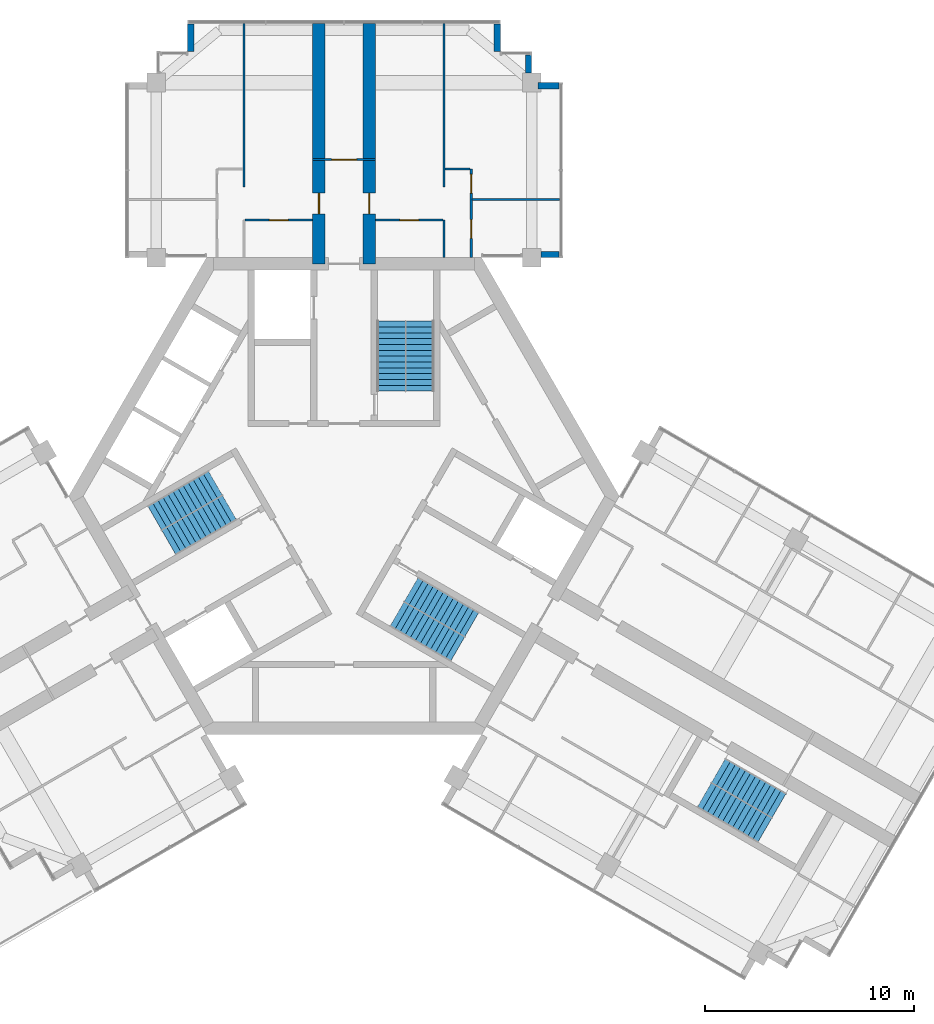
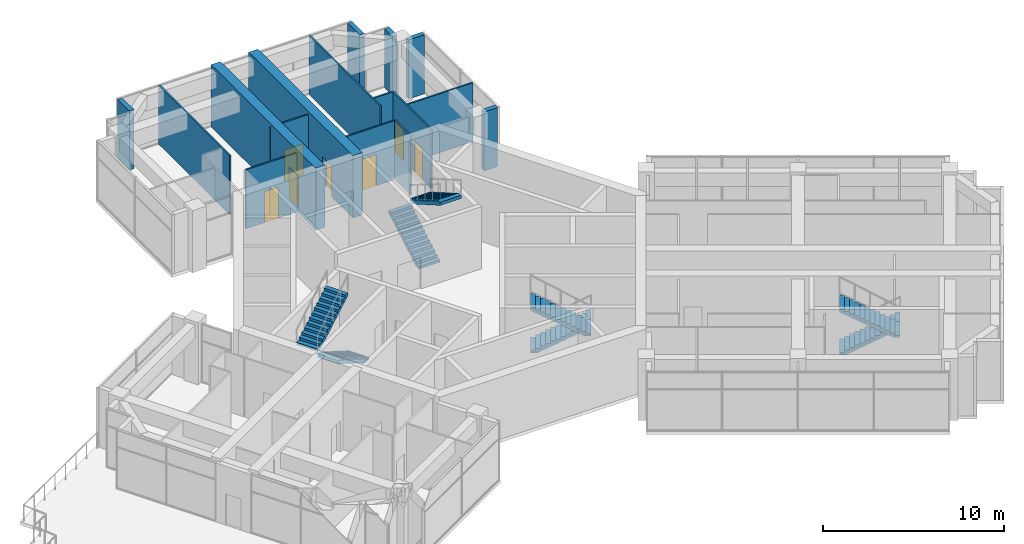
# One storey, part 12 of 13: 16 walls, 8 stair flights, 7 doors, 7 openings, 4 elements without a shape of their own.
"""IFC4 building model written with IfcOpenShell, lengths in metres."""

from ifc_helpers import new_model, si_unit, direction, frame, frame_2d, origin, place, context, subcontext, project, spatial, polyline, rectangle, outline, extrude, material, layer, layer_set, type_object, element, fill, aggregate, save


model = new_model("IFC4")

# Units and contexts
model_context = context("Model", 3, precision=1e-05, world=origin(), true_north=direction((0.0, 1.0)))
body_context = subcontext(model_context, "Body", "Model", "MODEL_VIEW")
ifc_project = project(units=[si_unit("LENGTHUNIT", "METRE"), si_unit("AREAUNIT", "SQUARE_METRE"), si_unit("VOLUMEUNIT", "CUBIC_METRE"), si_unit("PLANEANGLEUNIT", "RADIAN"), si_unit("MASSUNIT", "GRAM", prefix="KILO")], contexts=[model_context])

# Site, building, storey
site_placement = place(None, origin())
site = spatial("IfcSite", under=ifc_project, at=site_placement, CompositionType="ELEMENT")
building_placement = place(site_placement, origin())
building = spatial("IfcBuilding", under=site, at=building_placement, Name="Impinga Residences", CompositionType="ELEMENT")
storey_placement = place(building_placement, frame((0.0, 0.0, 283.14990234375)))
storey = spatial("IfcBuildingStorey", under=building, at=storey_placement, Name="L71", CompositionType="ELEMENT", Elevation=283.14990234375)

# Wall, opening, door
ifc_material_1 = material(Name="Concrete C60/75", Category="concrete")
ifc_layer_1 = layer(ifc_material_1, 0.60009765625)
ifc_layer_set_1 = layer_set([ifc_layer_1], Name="Concrete C60/75")
wall_type_1 = type_object("IfcWallType", Name="BW3 corridor buttress wall, L46 to L73 600", PredefinedType="SHEAR", material=ifc_layer_set_1)
wall_1_placement = place(storey_placement, frame((-1.199951171875, 11.131591796875, 0.0), z_axis=(0.0, 0.0, 1.0), x_axis=(0.0, 1.0, 0.0)))
wall_1 = element("IfcWall", 1, at=wall_1_placement, inside=storey, type_object=wall_type_1, Name="Corridor wall BW3 NC L71", PredefinedType="SHEAR", context=body_context, shape_type="SweptSolid", body=[
    extrude(rectangle(XDim=11.537841796875, YDim=0.60009765625, at=frame_2d((5.76904296875, 0.0))), origin(), (0.0, 0.0, 1.0), 4.2001953125),
])
opening_1_placement = place(wall_1_placement, frame((2.39990234375, 0.0, 0.0)))
opening_1 = element("IfcOpeningElement", 2, at=opening_1_placement, cuts=wall_1, Name="Opening D1", PredefinedType="OPENING", context=body_context, shape_type="SweptSolid", body=[
    extrude(rectangle(XDim=1.0, YDim=2.10009765625, at=frame_2d((0.5, 1.050048828125))), frame((0.0, 0.31005859375, 0.0), z_axis=(0.0, -1.0, 0.0), x_axis=(1.0, 0.0, 0.0)), (0.0, 0.0, 1.0), 0.6201171875),
])
ifc_material_2 = material(Name="Timber door set", Category="wood")
door_type_1 = type_object("IfcDoorType", Name="D1 apartment entrance door 1000x2100", OperationType="SINGLE_SWING_LEFT", PredefinedType="DOOR", material=ifc_material_2)
door_1_placement = place(opening_1_placement, origin())
door_1 = element("IfcDoor", 3, at=door_1_placement, inside=storey, type_object=door_type_1, Name="Apartment L71-NA1 entrance", OperationType="SINGLE_SWING_LEFT", OverallHeight=2.10009765625, OverallWidth=1.0, PredefinedType="DOOR", context=body_context, shape_type="SweptSolid", body=[
    extrude(rectangle(XDim=1.0, YDim=2.10009765625, at=frame_2d((0.5, 1.050048828125))), frame((0.0, 0.02490234375, 0.0), z_axis=(0.0, -1.0, 0.0), x_axis=(1.0, 0.0, 0.0)), (0.0, 0.0, 1.0), 0.050048828125),
])
fill(opening_1, door_1)

wall_2_placement = place(storey_placement, frame((1.199951171875, 11.131591796875, 0.0), z_axis=(0.0, 0.0, 1.0), x_axis=(0.0, 1.0, 0.0)))
wall_2 = element("IfcWall", 4, at=wall_2_placement, inside=storey, type_object=wall_type_1, Name="Corridor wall BW3 ND L71", PredefinedType="SHEAR", context=body_context, shape_type="SweptSolid", body=[
    extrude(rectangle(XDim=11.537841796875, YDim=0.60009765625, at=frame_2d((5.76904296875, 0.0))), origin(), (0.0, 0.0, 1.0), 4.2001953125),
])
opening_2_placement = place(wall_2_placement, frame((2.39990234375, 0.0, 0.0)))
opening_2 = element("IfcOpeningElement", 5, at=opening_2_placement, cuts=wall_2, Name="Opening D1", PredefinedType="OPENING", context=body_context, shape_type="SweptSolid", body=[
    extrude(rectangle(XDim=1.0, YDim=2.10009765625, at=frame_2d((0.5, 1.050048828125))), frame((0.0, 0.31005859375, 0.0), z_axis=(0.0, -1.0, 0.0), x_axis=(1.0, 0.0, 0.0)), (0.0, 0.0, 1.0), 0.6201171875),
])
door_2_placement = place(opening_2_placement, origin())
door_2 = element("IfcDoor", 6, at=door_2_placement, inside=storey, type_object=door_type_1, Name="Apartment L71-NF1 entrance", OperationType="SINGLE_SWING_LEFT", OverallHeight=2.10009765625, OverallWidth=1.0, PredefinedType="DOOR", context=body_context, shape_type="SweptSolid", body=[
    extrude(rectangle(XDim=1.0, YDim=2.10009765625, at=frame_2d((0.5, 1.050048828125))), frame((0.0, 0.02490234375, 0.0), z_axis=(0.0, -1.0, 0.0), x_axis=(1.0, 0.0, 0.0)), (0.0, 0.0, 1.0), 0.050048828125),
])
fill(opening_2, door_2)

ifc_material_3 = material(Name="Concrete blockwork", Category="masonry")
ifc_layer_2 = layer(ifc_material_3, 0.10009765625)
ifc_layer_set_2 = layer_set([ifc_layer_2], Name="CP1 core room partition, blockwork 100")
wall_type_2 = type_object("IfcWallType", Name="CP1 core room partition, blockwork 100", PredefinedType="PARTITIONING", material=ifc_layer_set_2)
wall_3_placement = place(storey_placement, frame((-1.5, 16.131591796875, 0.0), z_axis=(0.0, 0.0, 1.0), x_axis=(1.0, 0.0, 0.0)))
wall_3 = element("IfcWall", 7, at=wall_3_placement, inside=storey, type_object=wall_type_2, Name="Core room partition, blockwork L71:N:LNG", PredefinedType="PARTITIONING", context=body_context, shape_type="SweptSolid", body=[
    extrude(rectangle(XDim=3.0, YDim=0.10009765625, at=frame_2d((1.5, 0.0))), origin(), (0.0, 0.0, 1.0), 3.97998046875),
])
opening_3_placement = place(wall_3_placement, frame((0.89990234375, 0.0, 0.0)))
opening_3 = element("IfcOpeningElement", 8, at=opening_3_placement, cuts=wall_3, Name="Opening D3", PredefinedType="OPENING", context=body_context, shape_type="SweptSolid", body=[
    extrude(rectangle(XDim=1.199951171875, YDim=2.10009765625, at=frame_2d((0.60009765625, 1.050048828125))), frame((0.0, 0.06005859375, 0.0), z_axis=(0.0, -1.0, 0.0), x_axis=(1.0, 0.0, 0.0)), (0.0, 0.0, 1.0), 0.1201171875),
])
door_type_2 = type_object("IfcDoorType", Name="D3 room door, leaf and a half 1200x2100", OperationType="DOUBLE_SWING_LEFT", PredefinedType="DOOR", material=ifc_material_2)
door_3_placement = place(opening_3_placement, origin())
door_3 = element("IfcDoor", 9, at=door_3_placement, inside=storey, type_object=door_type_2, Name="Residents' lounge door N", OperationType="DOUBLE_SWING_LEFT", OverallHeight=2.10009765625, OverallWidth=1.199951171875, PredefinedType="DOOR", context=body_context, shape_type="SweptSolid", body=[
    extrude(rectangle(XDim=1.199951171875, YDim=2.10009765625, at=frame_2d((0.60009765625, 1.050048828125))), frame((0.0, 0.02490234375, 0.0), z_axis=(0.0, -1.0, 0.0), x_axis=(1.0, 0.0, 0.0)), (0.0, 0.0, 1.0), 0.050048828125),
])
fill(opening_3, door_3)

# Walls
ifc_material_4 = material(Name="Stone facing on blockwork", Category="masonry")
ifc_layer_3 = layer(ifc_material_4, 0.300048828125)
ifc_layer_set_3 = layer_set([ifc_layer_3], Name="EW2 external wall, stone facing on blockwork 300")
wall_type_3 = type_object("IfcWallType", Name="EW2 external wall, stone facing on blockwork 300", PredefinedType="SOLIDWALL", material=ifc_layer_set_3)
for number, where, z_axis, x_axis, name in (
    (10, (-7.35009765625, 21.316650390625, 0.0), (0.0, 0.0, 1.0), (0.0, 1.0, 0.0), "External wall EW2 L71"),
    (11, (7.35009765625, 22.646484375, 0.0), (0.0, 0.0, 1.0), (0.0, -1.0, 0.0), "External wall EW2 L71"),
):
    element("IfcWall", number, at=place(storey_placement, frame(where, z_axis=z_axis, x_axis=x_axis)), inside=storey, type_object=wall_type_3, Name=name, PredefinedType="SOLIDWALL", context=body_context, shape_type="SweptSolid", body=[
        extrude(rectangle(XDim=1.329833984375, YDim=0.300048828125, at=frame_2d((0.6650390625, 0.0))), origin(), (0.0, 0.0, 1.0), 3.97998046875),
    ])
wall_4_placement = place(storey_placement, frame((8.85009765625, 21.146484375, 0.0), z_axis=(0.0, 0.0, 1.0), x_axis=(0.0, -1.0, 0.0)))
element("IfcWall", 12, at=wall_4_placement, inside=storey, type_object=wall_type_3, Name="External wall EW2 L71", PredefinedType="SOLIDWALL", context=body_context, shape_type="SweptSolid", body=[
    extrude(rectangle(XDim=0.862060546875, YDim=0.300048828125, at=frame_2d((0.43115234375, 0.0))), origin(), (0.0, 0.0, 1.0), 3.97998046875),
])
wall_5_placement = place(storey_placement, frame((9.300048828125, 19.681640625, 0.0), z_axis=(0.0, 0.0, 1.0), x_axis=(1.0, 0.0, 0.0)))
element("IfcWall", 13, at=wall_5_placement, inside=storey, type_object=wall_type_3, Name="External wall EW2 L71", PredefinedType="SOLIDWALL", context=body_context, shape_type="SweptSolid", body=[
    extrude(rectangle(XDim=1.014892578125, YDim=0.300048828125, at=frame_2d((0.50732421875, 0.0))), origin(), (0.0, 0.0, 1.0), 3.97998046875),
])
wall_6_placement = place(storey_placement, frame((10.31494140625, 11.58154296875, 0.0), z_axis=(0.0, 0.0, 1.0), x_axis=(-1.0, 0.0, 0.0)))
element("IfcWall", 14, at=wall_6_placement, inside=storey, type_object=wall_type_3, Name="External wall EW2 L71", PredefinedType="SOLIDWALL", context=body_context, shape_type="SweptSolid", body=[
    extrude(rectangle(XDim=0.862060546875, YDim=0.300048828125, at=frame_2d((0.43115234375, 0.0))), origin(), (0.0, 0.0, 1.0), 3.97998046875),
])
ifc_material_5 = material(Name="Gypsum board on steel studs", Category="steel")
ifc_layer_4 = layer(ifc_material_5, 0.10009765625)
ifc_layer_set_4 = layer_set([ifc_layer_4], Name="Gypsum board on steel studs")
wall_type_4 = type_object("IfcWallType", Name="IP1 partition 100", PredefinedType="PARTITIONING", material=ifc_layer_set_4)
wall_7_placement = place(storey_placement, frame((-4.800048828125, 14.83154296875, 0.0), z_axis=(0.0, 0.0, 1.0), x_axis=(0.0, 1.0, 0.0)))
element("IfcWall", 15, at=wall_7_placement, inside=storey, type_object=wall_type_4, Name="Partition L71-NA1:DIV1", PredefinedType="PARTITIONING", context=body_context, shape_type="SweptSolid", body=[
    extrude(rectangle(XDim=7.8369140625, YDim=0.10009765625, at=frame_2d((3.91845703125, 0.0))), origin(), (0.0, 0.0, 1.0), 3.97998046875),
])

# Wall, opening, door
wall_8_placement = place(storey_placement, frame((-1.5, 13.2314453125, 0.0), z_axis=(0.0, 0.0, 1.0), x_axis=(-1.0, 0.0, 0.0)))
wall_8 = element("IfcWall", 16, at=wall_8_placement, inside=storey, type_object=wall_type_4, Name="Partition L71-NA1:IB1", PredefinedType="PARTITIONING", context=body_context, shape_type="SweptSolid", body=[
    extrude(rectangle(XDim=3.25, YDim=0.10009765625, at=frame_2d((1.625, 0.0))), origin(), (0.0, 0.0, 1.0), 3.97998046875),
])
opening_4_placement = place(wall_8_placement, frame((1.175048828125, 0.0, 0.0)))
opening_4 = element("IfcOpeningElement", 17, at=opening_4_placement, cuts=wall_8, Name="Opening D2", PredefinedType="OPENING", context=body_context, shape_type="SweptSolid", body=[
    extrude(rectangle(XDim=0.89990234375, YDim=2.10009765625, at=frame_2d((0.449951171875, 1.050048828125))), frame((0.0, 0.06005859375, 0.0), z_axis=(0.0, -1.0, 0.0), x_axis=(1.0, 0.0, 0.0)), (0.0, 0.0, 1.0), 0.1201171875),
])
door_type_3 = type_object("IfcDoorType", Name="D2 internal door 900x2100", OperationType="SINGLE_SWING_LEFT", PredefinedType="DOOR", material=ifc_material_2)
door_4_placement = place(opening_4_placement, origin())
door_4 = element("IfcDoor", 18, at=door_4_placement, inside=storey, type_object=door_type_3, Name="Apartment L71-NA1 bathroom door", OperationType="SINGLE_SWING_LEFT", OverallHeight=2.10009765625, OverallWidth=0.89990234375, PredefinedType="DOOR", context=body_context, shape_type="SweptSolid", body=[
    extrude(rectangle(XDim=0.89990234375, YDim=2.10009765625, at=frame_2d((0.449951171875, 1.050048828125))), frame((0.0, 0.02490234375, 0.0), z_axis=(0.0, -1.0, 0.0), x_axis=(1.0, 0.0, 0.0)), (0.0, 0.0, 1.0), 0.050048828125),
])
fill(opening_4, door_4)

# Walls
wall_9_placement = place(storey_placement, frame((4.800048828125, 11.431640625, 0.0), z_axis=(0.0, 0.0, 1.0), x_axis=(0.0, 1.0, 0.0)))
element("IfcWall", 19, at=wall_9_placement, inside=storey, type_object=wall_type_4, Name="Partition L71-NF1:DIV0", PredefinedType="PARTITIONING", context=body_context, shape_type="SweptSolid", body=[
    extrude(rectangle(XDim=1.7998046875, YDim=0.10009765625, at=frame_2d((0.89990234375, 0.0))), origin(), (0.0, 0.0, 1.0), 3.97998046875),
])
wall_10_placement = place(storey_placement, frame((4.800048828125, 14.83154296875, 0.0), z_axis=(0.0, 0.0, 1.0), x_axis=(0.0, 1.0, 0.0)))
element("IfcWall", 20, at=wall_10_placement, inside=storey, type_object=wall_type_4, Name="Partition L71-NF1:DIV1", PredefinedType="PARTITIONING", context=body_context, shape_type="SweptSolid", body=[
    extrude(rectangle(XDim=7.8369140625, YDim=0.10009765625, at=frame_2d((3.91845703125, 0.0))), origin(), (0.0, 0.0, 1.0), 3.97998046875),
])

# Wall, openings, doors
wall_11_placement = place(storey_placement, frame((6.10009765625, 11.431640625, 0.0), z_axis=(0.0, 0.0, 1.0), x_axis=(0.0, 1.0, 0.0)))
wall_11 = element("IfcWall", 21, at=wall_11_placement, inside=storey, type_object=wall_type_4, Name="Partition L71-NF1:STRIP", PredefinedType="PARTITIONING", context=body_context, shape_type="SweptSolid", body=[
    extrude(rectangle(XDim=4.25, YDim=0.10009765625, at=frame_2d((2.125, 0.0))), origin(), (0.0, 0.0, 1.0), 3.97998046875),
])
opening_5_placement = place(wall_11_placement, frame((0.925048828125, 0.0, 0.0)))
opening_5 = element("IfcOpeningElement", 22, at=opening_5_placement, cuts=wall_11, Name="Opening D2", PredefinedType="OPENING", context=body_context, shape_type="SweptSolid", body=[
    extrude(rectangle(XDim=0.89990234375, YDim=2.10009765625, at=frame_2d((0.449951171875, 1.050048828125))), frame((0.0, 0.06005859375, 0.0), z_axis=(0.0, -1.0, 0.0), x_axis=(1.0, 0.0, 0.0)), (0.0, 0.0, 1.0), 0.1201171875),
])
opening_6_placement = place(wall_11_placement, frame((3.10009765625, 0.0, 0.0)))
opening_6 = element("IfcOpeningElement", 23, at=opening_6_placement, cuts=wall_11, Name="Opening D2", PredefinedType="OPENING", context=body_context, shape_type="SweptSolid", body=[
    extrude(rectangle(XDim=0.89990234375, YDim=2.10009765625, at=frame_2d((0.449951171875, 1.050048828125))), frame((0.0, 0.06005859375, 0.0), z_axis=(0.0, -1.0, 0.0), x_axis=(1.0, 0.0, 0.0)), (0.0, 0.0, 1.0), 0.1201171875),
])
door_5_placement = place(opening_5_placement, origin())
door_5 = element("IfcDoor", 24, at=door_5_placement, inside=storey, type_object=door_type_3, Name="Apartment L71-NF1 room door", OperationType="SINGLE_SWING_LEFT", OverallHeight=2.10009765625, OverallWidth=0.89990234375, PredefinedType="DOOR", context=body_context, shape_type="SweptSolid", body=[
    extrude(rectangle(XDim=0.89990234375, YDim=2.10009765625, at=frame_2d((0.449951171875, 1.050048828125))), frame((0.0, 0.02490234375, 0.0), z_axis=(0.0, -1.0, 0.0), x_axis=(1.0, 0.0, 0.0)), (0.0, 0.0, 1.0), 0.050048828125),
])
fill(opening_5, door_5)
door_6_placement = place(opening_6_placement, origin())
door_6 = element("IfcDoor", 25, at=door_6_placement, inside=storey, type_object=door_type_3, Name="Apartment L71-NF1 room door", OperationType="SINGLE_SWING_RIGHT", OverallHeight=2.10009765625, OverallWidth=0.89990234375, PredefinedType="DOOR", context=body_context, shape_type="SweptSolid", body=[
    extrude(rectangle(XDim=0.89990234375, YDim=2.10009765625, at=frame_2d((0.449951171875, 1.050048828125))), frame((0.0, 0.02490234375, 0.0), z_axis=(0.0, -1.0, 0.0), x_axis=(1.0, 0.0, 0.0)), (0.0, 0.0, 1.0), 0.050048828125),
])
fill(opening_6, door_6)

# Wall
wall_12_placement = place(storey_placement, frame((4.85009765625, 15.681640625, 0.0), z_axis=(0.0, 0.0, 1.0), x_axis=(1.0, 0.0, 0.0)))
element("IfcWall", 26, at=wall_12_placement, inside=storey, type_object=wall_type_4, Name="Partition L71-NF1:SE1", PredefinedType="PARTITIONING", context=body_context, shape_type="SweptSolid", body=[
    extrude(rectangle(XDim=1.199951171875, YDim=0.10009765625, at=frame_2d((0.60009765625, 0.0))), origin(), (0.0, 0.0, 1.0), 3.97998046875),
])

# Wall, opening, door
wall_13_placement = place(storey_placement, frame((1.5, 13.2314453125, 0.0), z_axis=(0.0, 0.0, 1.0), x_axis=(1.0, 0.0, 0.0)))
wall_13 = element("IfcWall", 27, at=wall_13_placement, inside=storey, type_object=wall_type_4, Name="Partition L71-NF1:IB1", PredefinedType="PARTITIONING", context=body_context, shape_type="SweptSolid", body=[
    extrude(rectangle(XDim=3.25, YDim=0.10009765625, at=frame_2d((1.625, 0.0))), origin(), (0.0, 0.0, 1.0), 3.97998046875),
])
opening_7_placement = place(wall_13_placement, frame((1.175048828125, 0.0, 0.0)))
opening_7 = element("IfcOpeningElement", 28, at=opening_7_placement, cuts=wall_13, Name="Opening D2", PredefinedType="OPENING", context=body_context, shape_type="SweptSolid", body=[
    extrude(rectangle(XDim=0.89990234375, YDim=2.10009765625, at=frame_2d((0.449951171875, 1.050048828125))), frame((0.0, 0.06005859375, 0.0), z_axis=(0.0, -1.0, 0.0), x_axis=(1.0, 0.0, 0.0)), (0.0, 0.0, 1.0), 0.1201171875),
])
door_7_placement = place(opening_7_placement, origin())
door_7 = element("IfcDoor", 29, at=door_7_placement, inside=storey, type_object=door_type_3, Name="Apartment L71-NF1 bathroom door", OperationType="SINGLE_SWING_LEFT", OverallHeight=2.10009765625, OverallWidth=0.89990234375, PredefinedType="DOOR", context=body_context, shape_type="SweptSolid", body=[
    extrude(rectangle(XDim=0.89990234375, YDim=2.10009765625, at=frame_2d((0.449951171875, 1.050048828125))), frame((0.0, 0.02490234375, 0.0), z_axis=(0.0, -1.0, 0.0), x_axis=(1.0, 0.0, 0.0)), (0.0, 0.0, 1.0), 0.050048828125),
])
fill(opening_7, door_7)

# Wall
wall_14_placement = place(storey_placement, frame((6.14990234375, 14.2314453125, 0.0), z_axis=(0.0, 0.0, 1.0), x_axis=(1.0, 0.0, 0.0)))
element("IfcWall", 30, at=wall_14_placement, inside=storey, type_object=wall_type_4, Name="Partition L71-NF1:OB1", PredefinedType="PARTITIONING", context=body_context, shape_type="SweptSolid", body=[
    extrude(rectangle(XDim=4.18701171875, YDim=0.10009765625, at=frame_2d((2.093505859375, 0.0))), origin(), (0.0, 0.0, 1.0), 3.97998046875),
])

# Stair, stair flights
ifc_material_6 = material(Name="Concrete C40/50", Category="concrete")
stair_type_1 = type_object("IfcStairType", Name="STR core stair 4200 storey, 26 risers", PredefinedType="HALF_TURN_STAIR", material=ifc_material_6)
stair_1_placement = place(storey_placement, origin())
stair_1 = element("IfcStair", 31, at=stair_1_placement, inside=storey, type_object=stair_type_1, Name="Stair ST1 L71", PredefinedType="HALF_TURN_STAIR")
stair_flight_type = type_object("IfcStairFlightType", Name="SF 13 risers of 162", PredefinedType="STRAIGHT", material=ifc_material_6)
stair_flight_1_placement = place(storey_placement, frame((2.27490234375, 5.030029296875, 0.0), z_axis=(0.0, 0.0, 1.0), x_axis=(0.0, 1.0, 0.0)))
stair_flight_1 = element("IfcStairFlight", 32, at=stair_flight_1_placement, type_object=stair_flight_type, Name="ST1 flight 1", NumberOfRisers=13, NumberOfTreads=12, PredefinedType="STRAIGHT", RiserHeight=0.161538462, TreadLength=0.28, context=body_context, shape_type="SweptSolid", body=[
    extrude(outline(polyline([(0.0, 0.0), (0.0, 0.16162109375), (0.280029296875, 0.16162109375), (0.280029296875, 0.322998046875), (0.56005859375, 0.322998046875), (0.56005859375, 0.484619140625), (0.840087890625, 0.484619140625), (0.840087890625, 0.646240234375), (1.1201171875, 0.646240234375), (1.1201171875, 0.8076171875), (1.39990234375, 0.8076171875), (1.39990234375, 0.96923828125), (1.679931640625, 0.96923828125), (1.679931640625, 1.130859375), (1.9599609375, 1.130859375), (1.9599609375, 1.292236328125), (2.239990234375, 1.292236328125), (2.239990234375, 1.453857421875), (2.52001953125, 1.453857421875), (2.52001953125, 1.615478515625), (2.800048828125, 1.615478515625), (2.800048828125, 1.77685546875), (3.080078125, 1.77685546875), (3.080078125, 1.9384765625), (3.360107421875, 1.9384765625), (3.360107421875, 2.10009765625), (3.360107421875, 1.730712890625), (0.360107421875, 0.0), (0.0, 0.0)])), frame((0.0, 0.675048828125, 0.0), z_axis=(0.0, -1.0, 0.0), x_axis=(1.0, 0.0, 0.0)), (0.0, 0.0, 1.0), 1.35009765625),
])
stair_flight_2_placement = place(storey_placement, frame((3.625, 8.389892578125, 2.10009765625), z_axis=(0.0, 0.0, 1.0), x_axis=(0.0, -1.0, 0.0)))
stair_flight_2 = element("IfcStairFlight", 33, at=stair_flight_2_placement, type_object=stair_flight_type, Name="ST1 flight 2", NumberOfRisers=13, NumberOfTreads=12, PredefinedType="STRAIGHT", RiserHeight=0.161538462, TreadLength=0.28, context=body_context, shape_type="SweptSolid", body=[
    extrude(outline(polyline([(0.0, 0.0), (0.0, 0.16162109375), (0.280029296875, 0.16162109375), (0.280029296875, 0.322998046875), (0.56005859375, 0.322998046875), (0.56005859375, 0.484619140625), (0.840087890625, 0.484619140625), (0.840087890625, 0.646240234375), (1.1201171875, 0.646240234375), (1.1201171875, 0.8076171875), (1.39990234375, 0.8076171875), (1.39990234375, 0.96923828125), (1.679931640625, 0.96923828125), (1.679931640625, 1.130859375), (1.9599609375, 1.130859375), (1.9599609375, 1.292236328125), (2.239990234375, 1.292236328125), (2.239990234375, 1.453857421875), (2.52001953125, 1.453857421875), (2.52001953125, 1.615478515625), (2.800048828125, 1.615478515625), (2.800048828125, 1.77685546875), (3.080078125, 1.77685546875), (3.080078125, 1.9384765625), (3.360107421875, 1.9384765625), (3.360107421875, 2.10009765625), (3.360107421875, 1.730712890625), (0.360107421875, 0.0), (0.0, 0.0)])), frame((0.0, 0.675048828125, 0.0), z_axis=(0.0, -1.0, 0.0), x_axis=(1.0, 0.0, 0.0)), (0.0, 0.0, 1.0), 1.35009765625),
])
aggregate(stair_1, [stair_flight_1, stair_flight_2])

stair_2_placement = place(storey_placement, origin())
stair_2 = element("IfcStair", 34, at=stair_2_placement, inside=storey, type_object=stair_type_1, Name="Stair ST2 L71", PredefinedType="HALF_TURN_STAIR")
stair_flight_3_placement = place(storey_placement, frame((-5.49365234375, -0.544677734375, 0.0), z_axis=(0.0, 0.0, 1.0), x_axis=(-0.866025403784, -0.5, 0.0)))
stair_flight_3 = element("IfcStairFlight", 35, at=stair_flight_3_placement, type_object=stair_flight_type, Name="ST2 flight 1", NumberOfRisers=13, NumberOfTreads=12, PredefinedType="STRAIGHT", RiserHeight=0.161538462, TreadLength=0.28, context=body_context, shape_type="SweptSolid", body=[
    extrude(outline(polyline([(0.0, 0.0), (0.0, 0.16162109375), (0.280029296875, 0.16162109375), (0.280029296875, 0.322998046875), (0.56005859375, 0.322998046875), (0.56005859375, 0.484619140625), (0.840087890625, 0.484619140625), (0.840087890625, 0.646240234375), (1.1201171875, 0.646240234375), (1.1201171875, 0.8076171875), (1.39990234375, 0.8076171875), (1.39990234375, 0.96923828125), (1.679931640625, 0.96923828125), (1.679931640625, 1.130859375), (1.9599609375, 1.130859375), (1.9599609375, 1.292236328125), (2.239990234375, 1.292236328125), (2.239990234375, 1.453857421875), (2.52001953125, 1.453857421875), (2.52001953125, 1.615478515625), (2.800048828125, 1.615478515625), (2.800048828125, 1.77685546875), (3.080078125, 1.77685546875), (3.080078125, 1.9384765625), (3.360107421875, 1.9384765625), (3.360107421875, 2.10009765625), (3.360107421875, 1.730712890625), (0.360107421875, 0.0), (0.0, 0.0)])), frame((0.0, 0.675048828125, 0.0), z_axis=(0.0, -1.0, 0.0), x_axis=(1.0, 0.0, 0.0)), (0.0, 0.0, 1.0), 1.35009765625),
])
stair_flight_4_placement = place(storey_placement, frame((-9.078369140625, -1.0556640625, 2.10009765625), z_axis=(0.0, 0.0, 1.0), x_axis=(0.866025403784, 0.5, 0.0)))
stair_flight_4 = element("IfcStairFlight", 36, at=stair_flight_4_placement, type_object=stair_flight_type, Name="ST2 flight 2", NumberOfRisers=13, NumberOfTreads=12, PredefinedType="STRAIGHT", RiserHeight=0.161538462, TreadLength=0.28, context=body_context, shape_type="SweptSolid", body=[
    extrude(outline(polyline([(0.0, 0.0), (0.0, 0.16162109375), (0.280029296875, 0.16162109375), (0.280029296875, 0.322998046875), (0.56005859375, 0.322998046875), (0.56005859375, 0.484619140625), (0.840087890625, 0.484619140625), (0.840087890625, 0.646240234375), (1.1201171875, 0.646240234375), (1.1201171875, 0.8076171875), (1.39990234375, 0.8076171875), (1.39990234375, 0.96923828125), (1.679931640625, 0.96923828125), (1.679931640625, 1.130859375), (1.9599609375, 1.130859375), (1.9599609375, 1.292236328125), (2.239990234375, 1.292236328125), (2.239990234375, 1.453857421875), (2.52001953125, 1.453857421875), (2.52001953125, 1.615478515625), (2.800048828125, 1.615478515625), (2.800048828125, 1.77685546875), (3.080078125, 1.77685546875), (3.080078125, 1.9384765625), (3.360107421875, 1.9384765625), (3.360107421875, 2.10009765625), (3.360107421875, 1.730712890625), (0.360107421875, 0.0), (0.0, 0.0)])), frame((0.0, 0.675048828125, 0.0), z_axis=(0.0, -1.0, 0.0), x_axis=(1.0, 0.0, 0.0)), (0.0, 0.0, 1.0), 1.35009765625),
])
aggregate(stair_2, [stair_flight_3, stair_flight_4])

stair_3_placement = place(storey_placement, origin())
stair_3 = element("IfcStair", 37, at=stair_3_placement, inside=storey, type_object=stair_type_1, Name="Stair ST3 L71", PredefinedType="HALF_TURN_STAIR")
stair_flight_5_placement = place(storey_placement, frame((3.218505859375, -4.485107421875, 0.0), z_axis=(0.0, 0.0, 1.0), x_axis=(0.866025403784, -0.5, 0.0)))
stair_flight_5 = element("IfcStairFlight", 38, at=stair_flight_5_placement, type_object=stair_flight_type, Name="ST3 flight 1", NumberOfRisers=13, NumberOfTreads=12, PredefinedType="STRAIGHT", RiserHeight=0.161538462, TreadLength=0.28, context=body_context, shape_type="SweptSolid", body=[
    extrude(outline(polyline([(0.0, 0.0), (0.0, 0.16162109375), (0.280029296875, 0.16162109375), (0.280029296875, 0.322998046875), (0.56005859375, 0.322998046875), (0.56005859375, 0.484619140625), (0.840087890625, 0.484619140625), (0.840087890625, 0.646240234375), (1.1201171875, 0.646240234375), (1.1201171875, 0.8076171875), (1.39990234375, 0.8076171875), (1.39990234375, 0.96923828125), (1.679931640625, 0.96923828125), (1.679931640625, 1.130859375), (1.9599609375, 1.130859375), (1.9599609375, 1.292236328125), (2.239990234375, 1.292236328125), (2.239990234375, 1.453857421875), (2.52001953125, 1.453857421875), (2.52001953125, 1.615478515625), (2.800048828125, 1.615478515625), (2.800048828125, 1.77685546875), (3.080078125, 1.77685546875), (3.080078125, 1.9384765625), (3.360107421875, 1.9384765625), (3.360107421875, 2.10009765625), (3.360107421875, 1.730712890625), (0.360107421875, 0.0), (0.0, 0.0)])), frame((0.0, 0.675048828125, 0.0), z_axis=(0.0, -1.0, 0.0), x_axis=(1.0, 0.0, 0.0)), (0.0, 0.0, 1.0), 1.35009765625),
])
stair_flight_6_placement = place(storey_placement, frame((5.453369140625, -7.334228515625, 2.10009765625), z_axis=(0.0, 0.0, 1.0), x_axis=(-0.866025403784, 0.5, 0.0)))
stair_flight_6 = element("IfcStairFlight", 39, at=stair_flight_6_placement, type_object=stair_flight_type, Name="ST3 flight 2", NumberOfRisers=13, NumberOfTreads=12, PredefinedType="STRAIGHT", RiserHeight=0.161538462, TreadLength=0.28, context=body_context, shape_type="SweptSolid", body=[
    extrude(outline(polyline([(0.0, 0.0), (0.0, 0.16162109375), (0.280029296875, 0.16162109375), (0.280029296875, 0.322998046875), (0.56005859375, 0.322998046875), (0.56005859375, 0.484619140625), (0.840087890625, 0.484619140625), (0.840087890625, 0.646240234375), (1.1201171875, 0.646240234375), (1.1201171875, 0.8076171875), (1.39990234375, 0.8076171875), (1.39990234375, 0.96923828125), (1.679931640625, 0.96923828125), (1.679931640625, 1.130859375), (1.9599609375, 1.130859375), (1.9599609375, 1.292236328125), (2.239990234375, 1.292236328125), (2.239990234375, 1.453857421875), (2.52001953125, 1.453857421875), (2.52001953125, 1.615478515625), (2.800048828125, 1.615478515625), (2.800048828125, 1.77685546875), (3.080078125, 1.77685546875), (3.080078125, 1.9384765625), (3.360107421875, 1.9384765625), (3.360107421875, 2.10009765625), (3.360107421875, 1.730712890625), (0.360107421875, 0.0), (0.0, 0.0)])), frame((0.0, 0.675048828125, 0.0), z_axis=(0.0, -1.0, 0.0), x_axis=(1.0, 0.0, 0.0)), (0.0, 0.0, 1.0), 1.35009765625),
])
aggregate(stair_3, [stair_flight_5, stair_flight_6])

stair_type_2 = type_object("IfcStairType", Name="STR wing stair 4200 storey, 26 risers", PredefinedType="HALF_TURN_STAIR", material=ifc_material_6)
stair_4_placement = place(storey_placement, origin())
stair_4 = element("IfcStair", 40, at=stair_4_placement, inside=storey, type_object=stair_type_2, Name="Stair WS3 L71", PredefinedType="HALF_TURN_STAIR")
stair_flight_7_placement = place(storey_placement, frame((17.953857421875, -13.165771484375, 0.0), z_axis=(0.0, 0.0, 1.0), x_axis=(0.866025403784, -0.5, 0.0)))
stair_flight_7 = element("IfcStairFlight", 41, at=stair_flight_7_placement, type_object=stair_flight_type, Name="WS3 flight 1", NumberOfRisers=13, NumberOfTreads=12, PredefinedType="STRAIGHT", RiserHeight=0.161538462, TreadLength=0.28, context=body_context, shape_type="SweptSolid", body=[
    extrude(outline(polyline([(0.0, 0.0), (0.0, 0.16162109375), (0.280029296875, 0.16162109375), (0.280029296875, 0.322998046875), (0.56005859375, 0.322998046875), (0.56005859375, 0.484619140625), (0.840087890625, 0.484619140625), (0.840087890625, 0.646240234375), (1.1201171875, 0.646240234375), (1.1201171875, 0.8076171875), (1.39990234375, 0.8076171875), (1.39990234375, 0.96923828125), (1.679931640625, 0.96923828125), (1.679931640625, 1.130859375), (1.9599609375, 1.130859375), (1.9599609375, 1.292236328125), (2.239990234375, 1.292236328125), (2.239990234375, 1.453857421875), (2.52001953125, 1.453857421875), (2.52001953125, 1.615478515625), (2.800048828125, 1.615478515625), (2.800048828125, 1.77685546875), (3.080078125, 1.77685546875), (3.080078125, 1.9384765625), (3.360107421875, 1.9384765625), (3.360107421875, 2.10009765625), (3.360107421875, 1.730712890625), (0.360107421875, 0.0), (0.0, 0.0)])), frame((0.0, 0.675048828125, 0.0), z_axis=(0.0, -1.0, 0.0), x_axis=(1.0, 0.0, 0.0)), (0.0, 0.0, 1.0), 1.35009765625),
])
stair_flight_8_placement = place(storey_placement, frame((20.188720703125, -16.014892578125, 2.10009765625), z_axis=(0.0, 0.0, 1.0), x_axis=(-0.866025403784, 0.5, 0.0)))
stair_flight_8 = element("IfcStairFlight", 42, at=stair_flight_8_placement, type_object=stair_flight_type, Name="WS3 flight 2", NumberOfRisers=13, NumberOfTreads=12, PredefinedType="STRAIGHT", RiserHeight=0.161538462, TreadLength=0.28, context=body_context, shape_type="SweptSolid", body=[
    extrude(outline(polyline([(0.0, 0.0), (0.0, 0.16162109375), (0.280029296875, 0.16162109375), (0.280029296875, 0.322998046875), (0.56005859375, 0.322998046875), (0.56005859375, 0.484619140625), (0.840087890625, 0.484619140625), (0.840087890625, 0.646240234375), (1.1201171875, 0.646240234375), (1.1201171875, 0.8076171875), (1.39990234375, 0.8076171875), (1.39990234375, 0.96923828125), (1.679931640625, 0.96923828125), (1.679931640625, 1.130859375), (1.9599609375, 1.130859375), (1.9599609375, 1.292236328125), (2.239990234375, 1.292236328125), (2.239990234375, 1.453857421875), (2.52001953125, 1.453857421875), (2.52001953125, 1.615478515625), (2.800048828125, 1.615478515625), (2.800048828125, 1.77685546875), (3.080078125, 1.77685546875), (3.080078125, 1.9384765625), (3.360107421875, 1.9384765625), (3.360107421875, 2.10009765625), (3.360107421875, 1.730712890625), (0.360107421875, 0.0), (0.0, 0.0)])), frame((0.0, 0.675048828125, 0.0), z_axis=(0.0, -1.0, 0.0), x_axis=(1.0, 0.0, 0.0)), (0.0, 0.0, 1.0), 1.35009765625),
])
aggregate(stair_4, [stair_flight_7, stair_flight_8])

save(model, "model.ifc")
